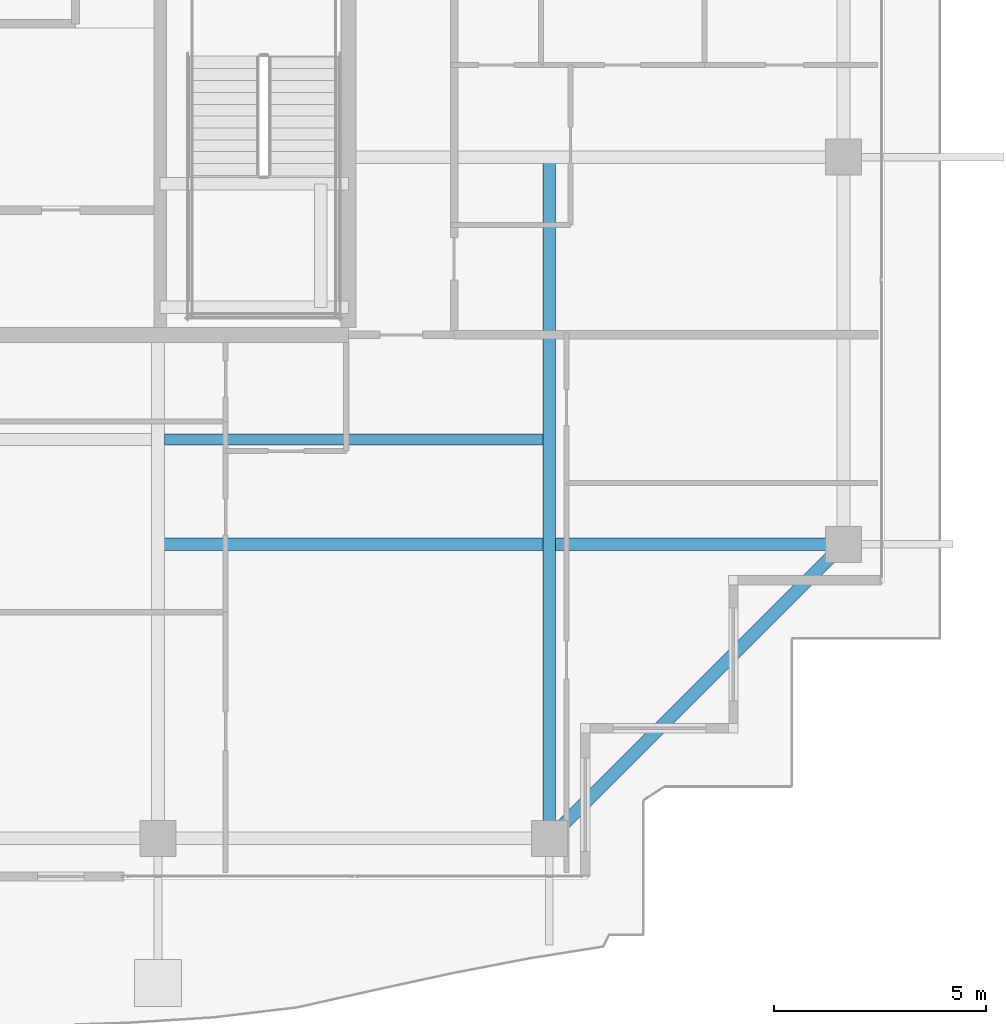
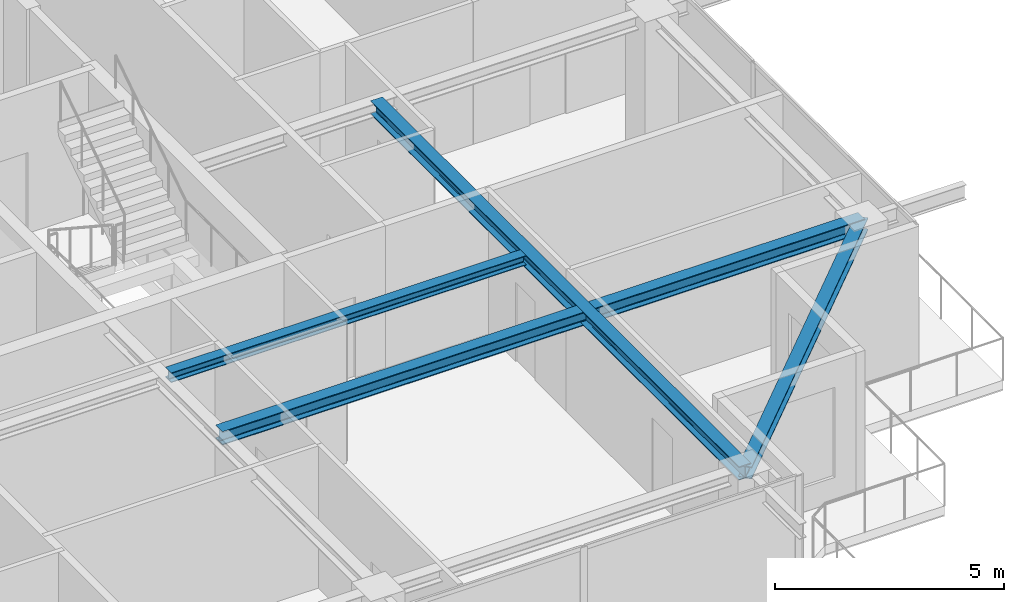
# One storey, part 11 of 36: 4 beams.
"""IFC4 building model written with IfcOpenShell, lengths in metres."""

from ifc_helpers import new_model, si_unit, direction, frame, origin, origin_2d, place, context, subcontext, project, spatial, i_section, extrude, source, transform, mapped, material, material_profile, profile_set, type_object, element, save


model = new_model("IFC4")

# Units and contexts
model_context = context("Model", 3, precision=1e-05, world=origin(), true_north=direction((0.0, 1.0)))
body_context = subcontext(model_context, "Body", "Model", "MODEL_VIEW")
ifc_project = project(units=[si_unit("LENGTHUNIT", "METRE"), si_unit("AREAUNIT", "SQUARE_METRE"), si_unit("VOLUMEUNIT", "CUBIC_METRE"), si_unit("PLANEANGLEUNIT", "RADIAN"), si_unit("MASSUNIT", "GRAM", prefix="KILO")], contexts=[model_context])

# Site, building, storey
site_placement = place(None, origin())
site = spatial("IfcSite", under=ifc_project, at=site_placement, CompositionType="ELEMENT")
building_placement = place(site_placement, origin())
building = spatial("IfcBuilding", under=site, at=building_placement, Name="Serunith Strait Residences", CompositionType="ELEMENT")
storey_placement = place(building_placement, frame((0.0, 0.0, 338.0)))
storey = spatial("IfcBuildingStorey", under=building, at=storey_placement, Name="L84", CompositionType="ELEMENT", Elevation=338.0)

# Beams
ifc_material = material(Name="Steel S355J2", Category="steel")
ifc_material_profile_1 = material_profile(ifc_material, i_section(OverallWidth=0.300048828125, OverallDepth=0.360107421875, WebThickness=0.012451171875, FlangeThickness=0.0224609375, FilletRadius=0.027099609375, at=origin_2d()), Name="HEB 360")
ifc_profile_set_1 = profile_set([ifc_material_profile_1], Name="Steel S355J2")
beam_type_1 = type_object("IfcBeamType", Name="BM-HEB360", PredefinedType="BEAM", material=ifc_profile_set_1)
shared_shape_1 = source(origin(), body_context, "Body", "SweptSolid", [
    extrude(i_section(OverallWidth=0.300048828125, OverallDepth=0.360107421875, WebThickness=0.012451171875, FlangeThickness=0.0224609375, FilletRadius=0.027099609375, at=origin_2d()), origin(), (0.0, 0.0, 1.0), 16.10009765625),
])
beam_1_placement = place(storey_placement, frame((46.14990234375, 21.0, 3.60693359375), z_axis=(0.0, -1.0, 0.0), x_axis=(1.0, 0.0, 0.0)))
element("IfcBeam", 1, at=beam_1_placement, inside=storey, type_object=beam_type_1, Name="L84 Orthogonal Corner Girder TC-S4", PredefinedType="BEAM", context=body_context, shape_type="MappedRepresentation", body=[
    mapped(shared_shape_1, transform((0.0, 0.0, 0.0), scale=1.0)),
])
shared_shape_2 = source(origin(), body_context, "Body", "SweptSolid", [
    extrude(i_section(OverallWidth=0.300048828125, OverallDepth=0.360107421875, WebThickness=0.012451171875, FlangeThickness=0.0224609375, FilletRadius=0.027099609375, at=origin_2d()), origin(), (0.0, 0.0, 1.0), 16.2001953125),
])
beam_2_placement = place(storey_placement, frame((36.89990234375, 11.85009765625, 3.60693359375), z_axis=(1.0, 0.0, 0.0), x_axis=(0.0, 1.0, 0.0)))
element("IfcBeam", 2, at=beam_2_placement, inside=storey, type_object=beam_type_1, Name="L84 Orthogonal Corner Girder TC-E1", PredefinedType="BEAM", context=body_context, shape_type="MappedRepresentation", body=[
    mapped(shared_shape_2, transform((0.0, 0.0, 0.0), scale=1.0)),
])
ifc_material_profile_2 = material_profile(ifc_material, i_section(OverallWidth=0.300048828125, OverallDepth=0.320068359375, WebThickness=0.011474609375, FlangeThickness=0.0205078125, FilletRadius=0.027099609375, at=origin_2d()), Name="HEB 320")
ifc_profile_set_2 = profile_set([ifc_material_profile_2], Name="Steel S355J2")
beam_type_2 = type_object("IfcBeamType", Name="BM-HEB320", PredefinedType="BEAM", material=ifc_profile_set_2)
shared_shape_3 = source(origin(), body_context, "Body", "SweptSolid", [
    extrude(i_section(OverallWidth=0.300048828125, OverallDepth=0.320068359375, WebThickness=0.011474609375, FlangeThickness=0.0205078125, FilletRadius=0.027099609375, at=origin_2d()), origin(), (0.0, 0.0, 1.0), 9.8291015625),
])
beam_3_placement = place(storey_placement, frame((46.14990234375, 4.89990234375, 3.596923828125), z_axis=(0.707106781187, 0.707106781187, 0.0), x_axis=(-0.707106781187, 0.707106781187, 0.0)))
element("IfcBeam", 3, at=beam_3_placement, inside=storey, type_object=beam_type_2, Name="L84 Perimeter Ring Beam 04", PredefinedType="BEAM", context=body_context, shape_type="MappedRepresentation", body=[
    mapped(shared_shape_3, transform((0.0, 0.0, 0.0), scale=1.0)),
])
ifc_material_profile_3 = material_profile(ifc_material, i_section(OverallWidth=0.260009765625, OverallDepth=0.260009765625, WebThickness=0.010009765625, FlangeThickness=0.017578125, FilletRadius=0.02392578125, at=origin_2d()), Name="HEB 260")
ifc_profile_set_3 = profile_set([ifc_material_profile_3], Name="Steel S355J2")
beam_type_3 = type_object("IfcBeamType", Name="BM-HEB260", PredefinedType="JOIST", material=ifc_profile_set_3)
shared_shape_4 = source(origin(), body_context, "Body", "SweptSolid", [
    extrude(i_section(OverallWidth=0.260009765625, OverallDepth=0.260009765625, WebThickness=0.010009765625, FlangeThickness=0.017578125, FilletRadius=0.02392578125, at=origin_2d()), origin(), (0.0, 0.0, 1.0), 8.949951171875),
])
beam_4_placement = place(storey_placement, frame((37.050048828125, 14.324951171875, 3.656982421875), z_axis=(1.0, 0.0, 0.0), x_axis=(0.0, 1.0, 0.0)))
element("IfcBeam", 4, at=beam_4_placement, inside=storey, type_object=beam_type_3, Name="L84 Composite Floor Joist 03", PredefinedType="JOIST", context=body_context, shape_type="MappedRepresentation", body=[
    mapped(shared_shape_4, transform((0.0, 0.0, 0.0), scale=1.0)),
])

save(model, "model.ifc")
